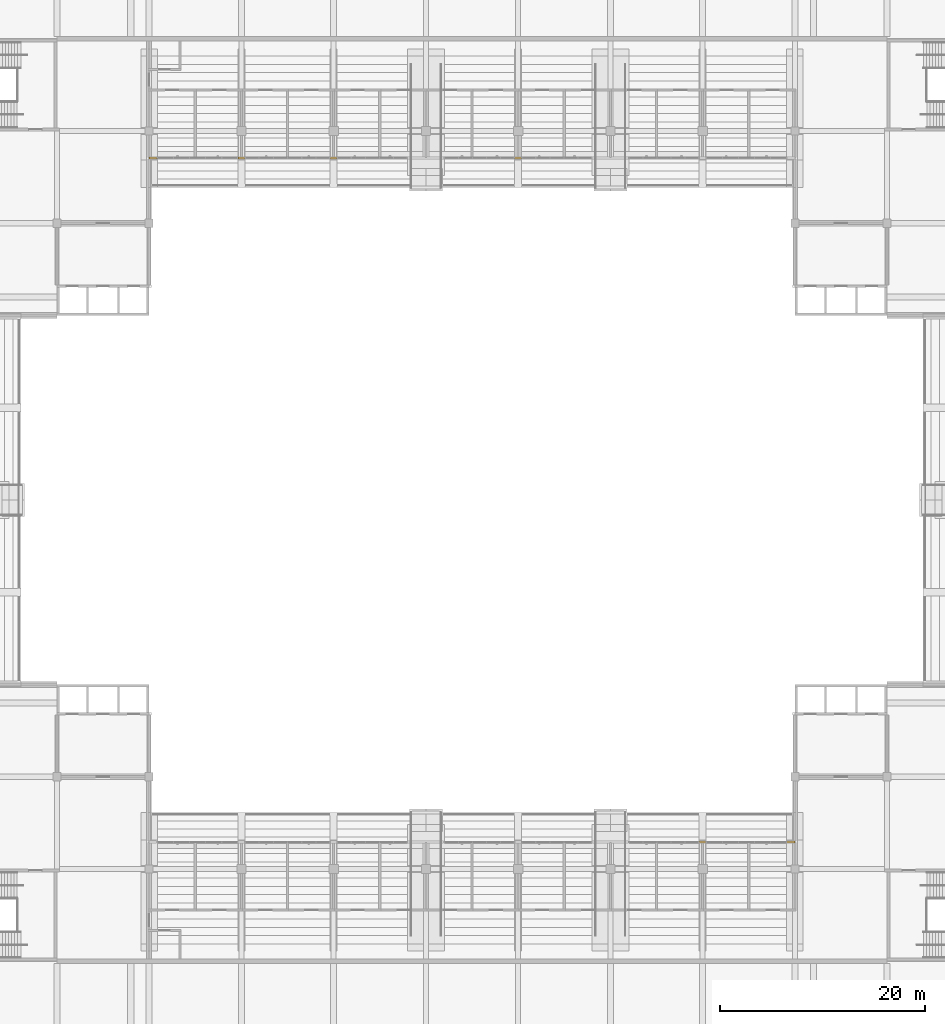
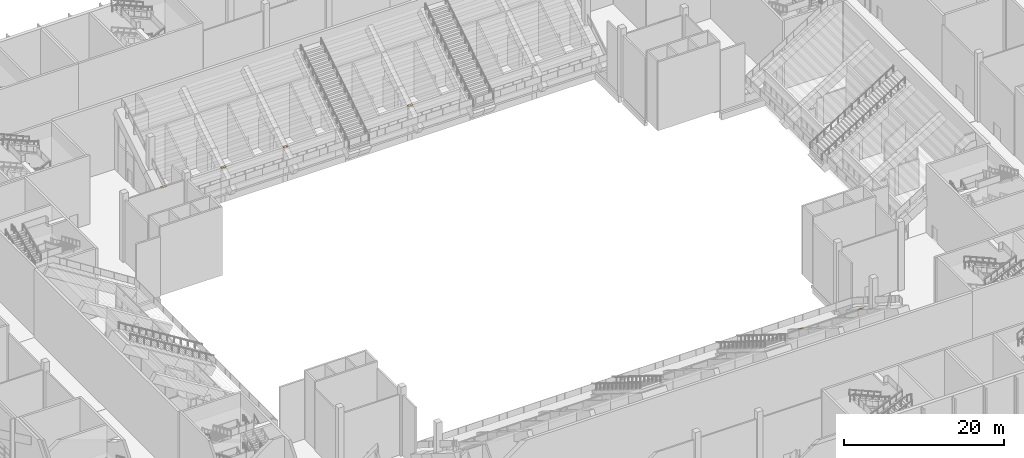
# One storey, part 181 of 182: 6 coverings.
"""IFC4 building model written with IfcOpenShell, lengths in metres."""

from ifc_helpers import new_model, si_unit, direction, frame, origin, place, context, subcontext, project, spatial, faceted_brep, material, layer, layer_set, type_object, element, save


model = new_model("IFC4")

# Units and contexts
model_context = context("Model", 3, precision=1e-05, world=origin(), true_north=direction((0.0, 1.0)))
body_context = subcontext(model_context, "Body", "Model", "MODEL_VIEW")
ifc_project = project(units=[si_unit("LENGTHUNIT", "METRE"), si_unit("AREAUNIT", "SQUARE_METRE"), si_unit("VOLUMEUNIT", "CUBIC_METRE"), si_unit("PLANEANGLEUNIT", "RADIAN"), si_unit("MASSUNIT", "GRAM", prefix="KILO")], contexts=[model_context])

# Site, building, storey
site_placement = place(None, origin())
site = spatial("IfcSite", under=ifc_project, at=site_placement, CompositionType="ELEMENT")
building_placement = place(site_placement, origin())
building = spatial("IfcBuilding", under=site, at=building_placement, Name="Silverbay Arena", CompositionType="ELEMENT")
storey_placement = place(building_placement, frame((0.0, 0.0, 11.5)))
storey = spatial("IfcBuildingStorey", under=building, at=storey_placement, Name="L02", CompositionType="ELEMENT", Elevation=11.5)

# Coverings
ifc_material = material(Name="Mineral wool fire-stop packing")
ifc_layer = layer(ifc_material, 0.199951171875)
ifc_layer_set = layer_set([ifc_layer], Name="Mineral wool fire-stop packing")
covering_type = type_object("IfcCoveringType", Name="Fire-stop packing", PredefinedType="CLADDING", material=ifc_layer_set)
covering_1_placement = place(storey_placement, origin())
element("IfcCovering", 1, at=covering_1_placement, inside=storey, type_object=covering_type, Name="Suite front fire-stop packing", PredefinedType="CLADDING", context=body_context, shape_type="Brep", body=[
    faceted_brep([(152.64990234375, 47.75, 4.033935546875), (153.35009765625, 47.75, 4.033935546875), (153.35009765625, 47.550048828125, 4.033935546875), (152.64990234375, 47.550048828125, 4.033935546875), (152.64990234375, 47.550048828125, 4.1640625), (153.35009765625, 47.550048828125, 4.1640625), (153.35009765625, 47.75, 4.0390625), (152.64990234375, 47.75, 4.0390625)], [[[0, 1, 2, 3]], [[4, 5, 6, 7]], [[3, 2, 5, 4]], [[2, 1, 6, 5]], [[1, 0, 7, 6]], [[0, 3, 4, 7]]]),
])
covering_2_placement = place(storey_placement, origin())
element("IfcCovering", 2, at=covering_2_placement, inside=storey, type_object=covering_type, Name="Suite front fire-stop packing", PredefinedType="CLADDING", context=body_context, shape_type="Brep", body=[
    faceted_brep([(161.199951171875, 47.75, 4.033935546875), (162.0, 47.75, 4.033935546875), (162.0, 47.550048828125, 4.033935546875), (161.199951171875, 47.550048828125, 4.033935546875), (161.199951171875, 47.550048828125, 4.1640625), (162.0, 47.550048828125, 4.1640625), (162.0, 47.75, 4.0390625), (161.199951171875, 47.75, 4.0390625)], [[[0, 1, 2, 3]], [[4, 5, 6, 7]], [[3, 2, 5, 4]], [[2, 1, 6, 5]], [[1, 0, 7, 6]], [[0, 3, 4, 7]]]),
])
covering_3_placement = place(storey_placement, origin())
element("IfcCovering", 3, at=covering_3_placement, inside=storey, type_object=covering_type, Name="Suite front fire-stop packing", PredefinedType="CLADDING", context=body_context, shape_type="Brep", body=[
    faceted_brep([(99.0, 114.449951171875, 4.033935546875), (99.800048828125, 114.449951171875, 4.033935546875), (99.800048828125, 114.25, 4.033935546875), (99.0, 114.25, 4.033935546875), (99.0, 114.25, 4.0390625), (99.800048828125, 114.25, 4.0390625), (99.800048828125, 114.449951171875, 4.1640625), (99.0, 114.449951171875, 4.1640625)], [[[0, 1, 2, 3]], [[4, 5, 6, 7]], [[3, 2, 5, 4]], [[2, 1, 6, 5]], [[1, 0, 7, 6]], [[0, 3, 4, 7]]]),
])
covering_4_placement = place(storey_placement, origin())
element("IfcCovering", 4, at=covering_4_placement, inside=storey, type_object=covering_type, Name="Suite front fire-stop packing", PredefinedType="CLADDING", context=body_context, shape_type="Brep", body=[
    faceted_brep([(107.64990234375, 114.449951171875, 4.033935546875), (108.35009765625, 114.449951171875, 4.033935546875), (108.35009765625, 114.25, 4.033935546875), (107.64990234375, 114.25, 4.033935546875), (107.64990234375, 114.25, 4.0390625), (108.35009765625, 114.25, 4.0390625), (108.35009765625, 114.449951171875, 4.1640625), (107.64990234375, 114.449951171875, 4.1640625)], [[[0, 1, 2, 3]], [[4, 5, 6, 7]], [[3, 2, 5, 4]], [[2, 1, 6, 5]], [[1, 0, 7, 6]], [[0, 3, 4, 7]]]),
])
covering_5_placement = place(storey_placement, origin())
element("IfcCovering", 5, at=covering_5_placement, inside=storey, type_object=covering_type, Name="Suite front fire-stop packing", PredefinedType="CLADDING", context=body_context, shape_type="Brep", body=[
    faceted_brep([(116.64990234375, 114.449951171875, 4.033935546875), (117.35009765625, 114.449951171875, 4.033935546875), (117.35009765625, 114.25, 4.033935546875), (116.64990234375, 114.25, 4.033935546875), (116.64990234375, 114.25, 4.0390625), (117.35009765625, 114.25, 4.0390625), (117.35009765625, 114.449951171875, 4.1640625), (116.64990234375, 114.449951171875, 4.1640625)], [[[0, 1, 2, 3]], [[4, 5, 6, 7]], [[3, 2, 5, 4]], [[2, 1, 6, 5]], [[1, 0, 7, 6]], [[0, 3, 4, 7]]]),
])
covering_6_placement = place(storey_placement, origin())
element("IfcCovering", 6, at=covering_6_placement, inside=storey, type_object=covering_type, Name="Suite front fire-stop packing", PredefinedType="CLADDING", context=body_context, shape_type="Brep", body=[
    faceted_brep([(134.64990234375, 114.449951171875, 4.033935546875), (135.35009765625, 114.449951171875, 4.033935546875), (135.35009765625, 114.25, 4.033935546875), (134.64990234375, 114.25, 4.033935546875), (134.64990234375, 114.25, 4.0390625), (135.35009765625, 114.25, 4.0390625), (135.35009765625, 114.449951171875, 4.1640625), (134.64990234375, 114.449951171875, 4.1640625)], [[[0, 1, 2, 3]], [[4, 5, 6, 7]], [[3, 2, 5, 4]], [[2, 1, 6, 5]], [[1, 0, 7, 6]], [[0, 3, 4, 7]]]),
])

save(model, "model.ifc")
